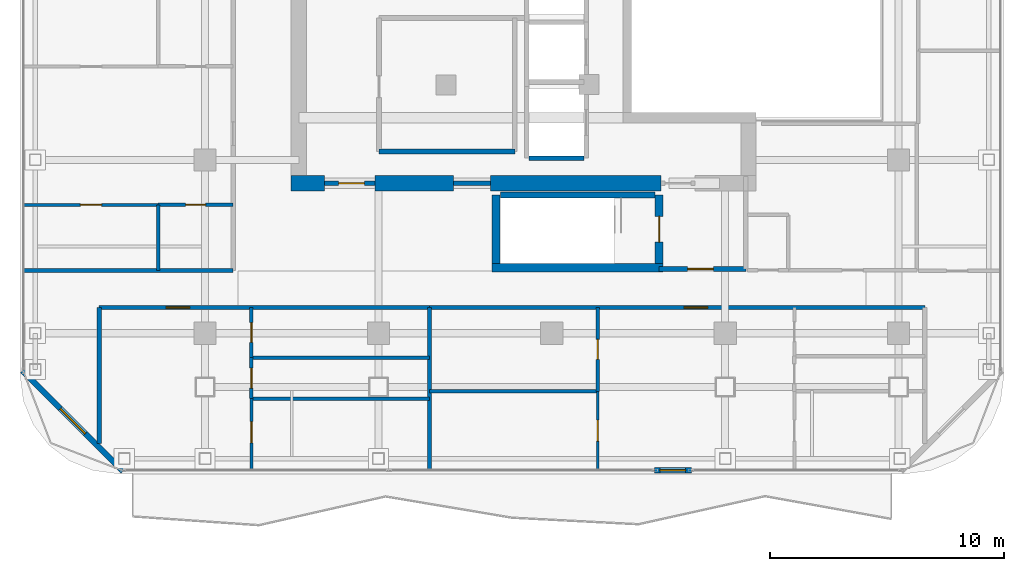
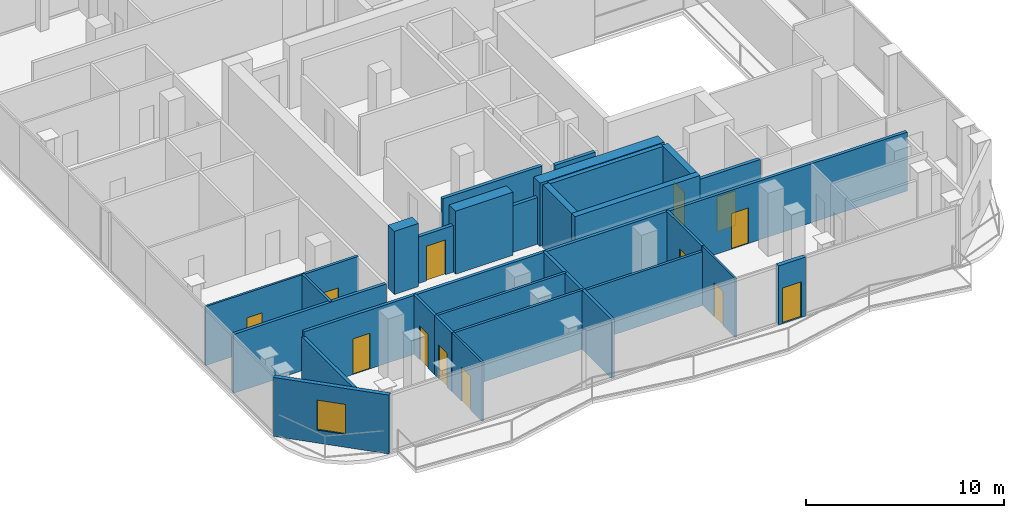
# One storey, part 17 of 22: 30 walls, 13 doors, 1 window, 14 openings.
"""IFC4 building model written with IfcOpenShell, lengths in metres."""

from ifc_helpers import new_model, si_unit, direction, frame, frame_2d, origin, place, context, subcontext, project, spatial, rectangle, extrude, material, layer, layer_set, type_object, element, fill, save


model = new_model("IFC4")

# Units and contexts
model_context = context("Model", 3, precision=1e-05, world=origin(), true_north=direction((0.0, 1.0)))
body_context = subcontext(model_context, "Body", "Model", "MODEL_VIEW")
ifc_project = project(units=[si_unit("LENGTHUNIT", "METRE"), si_unit("AREAUNIT", "SQUARE_METRE"), si_unit("VOLUMEUNIT", "CUBIC_METRE"), si_unit("PLANEANGLEUNIT", "RADIAN"), si_unit("MASSUNIT", "GRAM", prefix="KILO")], contexts=[model_context])

# Site, building, storey
site_placement = place(None, origin())
site = spatial("IfcSite", under=ifc_project, at=site_placement, CompositionType="ELEMENT")
building_placement = place(site_placement, origin())
building = spatial("IfcBuilding", under=site, at=building_placement, Name="Khorvyn Point Tower", CompositionType="ELEMENT")
storey_placement = place(building_placement, frame((0.0, 0.0, 309.300048828125)))
storey = spatial("IfcBuildingStorey", under=building, at=storey_placement, Name="L76", CompositionType="ELEMENT", Elevation=309.300048828125)

# Wall, opening, door
ifc_material_1 = material(Name="Double acoustic gypsum on twin steel stud", Category="steel")
ifc_layer_1 = layer(ifc_material_1, 0.179931640625)
ifc_layer_set_1 = layer_set([ifc_layer_1], Name="Acoustic Double-Stud Apartment Demising Wall 180")
wall_type_1 = type_object("IfcWallType", Name="Acoustic Double-Stud Apartment Demising Wall 180", PredefinedType="PARTITIONING", material=ifc_layer_set_1)
wall_1_placement = place(storey_placement, frame((-19.320068359375, -13.699951171875, 0.0), z_axis=(0.0, 0.0, 1.0), x_axis=(1.0, 0.0, 0.0)))
wall_1 = element("IfcWall", 1, at=wall_1_placement, inside=storey, type_object=wall_type_1, Name="Wall", PredefinedType="PARTITIONING", context=body_context, shape_type="SweptSolid", body=[
    extrude(rectangle(XDim=14.095947265625, YDim=0.179931640625, at=frame_2d((7.0478515625, 0.0))), origin(), (0.0, 0.0, 1.0), 3.639892578125),
])
opening_1_placement = place(wall_1_placement, frame((2.859130859375, 0.0, 0.0)))
opening_1 = element("IfcOpeningElement", 2, at=opening_1_placement, cuts=wall_1, Name="Opening ID-AP60", PredefinedType="OPENING", context=body_context, shape_type="SweptSolid", body=[
    extrude(rectangle(XDim=1.0, YDim=2.199951171875, at=frame_2d((0.5, 1.10009765625))), frame((0.0, 0.099853515625, 0.0), z_axis=(0.0, -1.0, 0.0), x_axis=(1.0, 0.0, 0.0)), (0.0, 0.0, 1.0), 0.199951171875),
])
ifc_material_2 = material(Name="Engineered hardwood fire-rated leaf", Category="wood")
door_type_1 = type_object("IfcDoorType", Name="Acoustic Solid-Core Timber Apartment Entrance Door 1000x2200", OperationType="NOTDEFINED", PredefinedType="DOOR", material=ifc_material_2)
door_1_placement = place(opening_1_placement, origin())
door_1 = element("IfcDoor", 3, at=door_1_placement, inside=storey, type_object=door_type_1, Name="Door", OperationType="SINGLE_SWING_RIGHT", OverallHeight=2.199951171875, OverallWidth=1.0, PredefinedType="DOOR", context=body_context, shape_type="SweptSolid", body=[
    extrude(rectangle(XDim=1.0, YDim=2.199951171875, at=frame_2d((0.5, 1.10009765625))), frame((0.0, 0.02490234375, 0.0), z_axis=(0.0, -1.0, 0.0), x_axis=(1.0, 0.0, 0.0)), (0.0, 0.0, 1.0), 0.050048828125),
])
fill(opening_1, door_1)

wall_2_placement = place(storey_placement, frame((-5.22412109375, -13.699951171875, 0.0), z_axis=(0.0, 0.0, 1.0), x_axis=(1.0, 0.0, 0.0)))
wall_2 = element("IfcWall", 4, at=wall_2_placement, inside=storey, type_object=wall_type_1, Name="Wall", PredefinedType="PARTITIONING", context=body_context, shape_type="SweptSolid", body=[
    extrude(rectangle(XDim=21.14404296875, YDim=0.179931640625, at=frame_2d((10.572021484375, 0.0))), origin(), (0.0, 0.0, 1.0), 3.639892578125),
])
opening_2_placement = place(wall_2_placement, frame((10.875732421875, 0.0, 0.0)))
opening_2 = element("IfcOpeningElement", 5, at=opening_2_placement, cuts=wall_2, Name="Opening ID-AP60", PredefinedType="OPENING", context=body_context, shape_type="SweptSolid", body=[
    extrude(rectangle(XDim=1.0, YDim=2.199951171875, at=frame_2d((0.5, 1.10009765625))), frame((0.0, 0.099853515625, 0.0), z_axis=(0.0, -1.0, 0.0), x_axis=(1.0, 0.0, 0.0)), (0.0, 0.0, 1.0), 0.199951171875),
])
door_2_placement = place(opening_2_placement, origin())
door_2 = element("IfcDoor", 6, at=door_2_placement, inside=storey, type_object=door_type_1, Name="Door", OperationType="SINGLE_SWING_RIGHT", OverallHeight=2.199951171875, OverallWidth=1.0, PredefinedType="DOOR", context=body_context, shape_type="SweptSolid", body=[
    extrude(rectangle(XDim=1.0, YDim=2.199951171875, at=frame_2d((0.5, 1.10009765625))), frame((0.0, 0.02490234375, 0.0), z_axis=(0.0, -1.0, 0.0), x_axis=(1.0, 0.0, 0.0)), (0.0, 0.0, 1.0), 0.050048828125),
])
fill(opening_2, door_2)

# Walls
wall_3_placement = place(storey_placement, frame((-19.320068359375, -19.510009765625, 0.0), z_axis=(0.0, 0.0, 1.0), x_axis=(0.0, 1.0, 0.0)))
element("IfcWall", 7, at=wall_3_placement, inside=storey, type_object=wall_type_1, Name="Wall", PredefinedType="PARTITIONING", context=body_context, shape_type="SweptSolid", body=[
    extrude(rectangle(XDim=5.81005859375, YDim=0.179931640625, at=frame_2d((2.905029296875, 0.0))), origin(), (0.0, 0.0, 1.0), 3.329833984375),
])
wall_4_placement = place(storey_placement, frame((-5.22412109375, -20.6298828125, 0.0), z_axis=(0.0, 0.0, 1.0), x_axis=(0.0, 1.0, 0.0)))
element("IfcWall", 8, at=wall_4_placement, inside=storey, type_object=wall_type_1, Name="Wall", PredefinedType="PARTITIONING", context=body_context, shape_type="SweptSolid", body=[
    extrude(rectangle(XDim=6.929931640625, YDim=0.179931640625, at=frame_2d((3.46484375, 0.0))), origin(), (0.0, 0.0, 1.0), 3.639892578125),
])
wall_5_placement = place(storey_placement, frame((-22.530029296875, -12.1201171875, 0.0), z_axis=(0.0, 0.0, 1.0), x_axis=(1.0, 0.0, 0.0)))
element("IfcWall", 9, at=wall_5_placement, inside=storey, type_object=wall_type_1, Name="Wall", PredefinedType="PARTITIONING", context=body_context, shape_type="SweptSolid", body=[
    extrude(rectangle(XDim=8.929931640625, YDim=0.179931640625, at=frame_2d((4.46484375, 0.0))), origin(), (0.0, 0.0, 1.0), 3.639892578125),
])

# Wall, opening, door
ifc_material_3 = material(Name="Pale anodised aluminium rainscreen on steel stud", Category="steel")
ifc_layer_2 = layer(ifc_material_3, 0.239990234375)
ifc_layer_set_2 = layer_set([ifc_layer_2], Name="Anodised Aluminium Insulated Corner Spandrel Wall 240")
wall_type_2 = type_object("IfcWallType", Name="Anodised Aluminium Insulated Corner Spandrel Wall 240", PredefinedType="SOLIDWALL", material=ifc_layer_set_2)
wall_6_placement = place(storey_placement, frame((5.952880859375, -20.64990234375, 0.0), z_axis=(0.0, 0.0, 1.0), x_axis=(-1.0, 0.0, 0.0)))
wall_6 = element("IfcWall", 10, at=wall_6_placement, inside=storey, type_object=wall_type_2, Name="L76 South Outdoor Threshold Wall", PredefinedType="SOLIDWALL", context=body_context, shape_type="SweptSolid", body=[
    extrude(rectangle(XDim=1.579833984375, YDim=0.239990234375, at=frame_2d((0.7900390625, 0.0))), origin(), (0.0, 0.0, 1.0), 3.639892578125),
])
opening_3_placement = place(wall_6_placement, frame((0.239990234375, 0.0, 0.0)))
opening_3 = element("IfcOpeningElement", 11, at=opening_3_placement, cuts=wall_6, Name="Opening BD-1122", PredefinedType="OPENING", context=body_context, shape_type="SweptSolid", body=[
    extrude(rectangle(XDim=1.10009765625, YDim=2.199951171875, at=frame_2d((0.550048828125, 1.10009765625))), frame((0.0, 0.1298828125, 0.0), z_axis=(0.0, -1.0, 0.0), x_axis=(1.0, 0.0, 0.0)), (0.0, 0.0, 1.0), 0.260009765625),
])
ifc_material_4 = material(Name="Anodised aluminium 6063-T6 and laminated Low-E glass", Category="aluminium")
door_type_2 = type_object("IfcDoorType", Name="Glazed Balcony and Terrace Threshold Door 1100x2200", OperationType="NOTDEFINED", PredefinedType="DOOR", material=ifc_material_4)
door_3_placement = place(opening_3_placement, origin())
door_3 = element("IfcDoor", 12, at=door_3_placement, inside=storey, type_object=door_type_2, Name="L76 South Glazed Balcony Outdoor Door", OperationType="SINGLE_SWING_LEFT", OverallHeight=2.199951171875, OverallWidth=1.10009765625, PredefinedType="DOOR", context=body_context, shape_type="SweptSolid", body=[
    extrude(rectangle(XDim=1.10009765625, YDim=2.199951171875, at=frame_2d((0.550048828125, 1.10009765625))), frame((0.0, 0.02490234375, 0.0), z_axis=(0.0, -1.0, 0.0), x_axis=(1.0, 0.0, 0.0)), (0.0, 0.0, 1.0), 0.050048828125),
])
fill(opening_3, door_3)

# Wall, opening, window
wall_7_placement = place(storey_placement, frame((-18.3076171875, -20.6923828125, 0.0), z_axis=(0.0, 0.0, 1.0), x_axis=(-0.707106781187, 0.707106781187, 0.0)))
wall_7 = element("IfcWall", 13, at=wall_7_placement, inside=storey, type_object=wall_type_2, Name="L76 Rounded Corner Wall SW", PredefinedType="SOLIDWALL", context=body_context, shape_type="SweptSolid", body=[
    extrude(rectangle(XDim=6.059326171875, YDim=0.239990234375, at=frame_2d((3.02978515625, 0.0))), origin(), (0.0, 0.0, 1.0), 3.639892578125),
])
opening_4_placement = place(wall_7_placement, frame((2.27978515625, 0.0, 0.800048828125)))
opening_4 = element("IfcOpeningElement", 14, at=opening_4_placement, cuts=wall_7, Name="Opening WN-1518", PredefinedType="OPENING", context=body_context, shape_type="SweptSolid", body=[
    extrude(rectangle(XDim=1.5, YDim=1.85009765625, at=frame_2d((0.75, 0.925048828125))), frame((0.0, 0.1298828125, 0.0), z_axis=(0.0, -1.0, 0.0), x_axis=(1.0, 0.0, 0.0)), (0.0, 0.0, 1.0), 0.260009765625),
])
window_type = type_object("IfcWindowType", Name="Anodised Aluminium Rounded-Corner Panoramic Window 1500x1850", PartitioningType="SINGLE_PANEL", PredefinedType="WINDOW", material=ifc_material_4)
window_placement = place(opening_4_placement, origin())
window = element("IfcWindow", 15, at=window_placement, inside=storey, type_object=window_type, Name="L76 Corner Panoramic Window SW", OverallHeight=1.85009765625, OverallWidth=1.5, PartitioningType="SINGLE_PANEL", PredefinedType="WINDOW", context=body_context, shape_type="SweptSolid", body=[
    extrude(rectangle(XDim=1.5, YDim=1.85009765625, at=frame_2d((0.75, 0.925048828125))), frame((0.0, 0.030029296875, 0.0), z_axis=(0.0, -1.0, 0.0), x_axis=(1.0, 0.0, 0.0)), (0.0, 0.0, 1.0), 0.06005859375),
])
fill(opening_4, window)

# Walls
ifc_material_5 = material(Name="Concrete C40/50", Category="concrete")
ifc_layer_3 = layer(ifc_material_5, 0.64990234375)
ifc_layer_set_3 = layer_set([ifc_layer_3], Name="Concrete C40/50 Core Shear Wall 650")
wall_type_3 = type_object("IfcWallType", Name="Concrete C40/50 Core Shear Wall 650", PredefinedType="SHEAR", material=ifc_layer_set_3)
wall_8_placement = place(storey_placement, frame((-11.125, -8.39990234375, 0.0), z_axis=(0.0, 0.0, 1.0), x_axis=(1.0, 0.0, 0.0)))
element("IfcWall", 16, at=wall_8_placement, inside=storey, type_object=wall_type_3, Name="Wall", PredefinedType="SHEAR", context=body_context, shape_type="SweptSolid", body=[
    extrude(rectangle(XDim=1.425048828125, YDim=0.64990234375, at=frame_2d((0.71240234375, 0.0))), origin(), (0.0, 0.0, 1.0), 3.89990234375),
])
wall_9_placement = place(storey_placement, frame((-7.550048828125, -8.39990234375, 0.0), z_axis=(0.0, 0.0, 1.0), x_axis=(1.0, 0.0, 0.0)))
element("IfcWall", 17, at=wall_9_placement, inside=storey, type_object=wall_type_3, Name="Wall", PredefinedType="SHEAR", context=body_context, shape_type="SweptSolid", body=[
    extrude(rectangle(XDim=3.35009765625, YDim=0.64990234375, at=frame_2d((1.675048828125, 0.0))), origin(), (0.0, 0.0, 1.0), 3.89990234375),
])
wall_10_placement = place(storey_placement, frame((-2.6201171875, -8.39990234375, 0.0), z_axis=(0.0, 0.0, 1.0), x_axis=(1.0, 0.0, 0.0)))
element("IfcWall", 18, at=wall_10_placement, inside=storey, type_object=wall_type_3, Name="Wall", PredefinedType="SHEAR", context=body_context, shape_type="SweptSolid", body=[
    extrude(rectangle(XDim=7.27001953125, YDim=0.64990234375, at=frame_2d((3.635009765625, 0.0))), origin(), (0.0, 0.0, 1.0), 3.89990234375),
])

# Wall, opening, door
ifc_layer_4 = layer(ifc_material_5, 0.199951171875)
ifc_layer_set_4 = layer_set([ifc_layer_4], Name="Concrete C40/50 Fire-Lobby Compartment Wall 200")
wall_type_4 = type_object("IfcWallType", Name="Concrete C40/50 Fire-Lobby Compartment Wall 200", PredefinedType="SOLIDWALL", material=ifc_layer_set_4)
wall_11_placement = place(storey_placement, frame((4.580078125, -12.06005859375, 0.0), z_axis=(0.0, 0.0, 1.0), x_axis=(1.0, 0.0, 0.0)))
wall_11 = element("IfcWall", 19, at=wall_11_placement, inside=storey, type_object=wall_type_4, Name="Wall", PredefinedType="SOLIDWALL", context=body_context, shape_type="SweptSolid", body=[
    extrude(rectangle(XDim=3.699951171875, YDim=0.199951171875, at=frame_2d((1.85009765625, 0.0))), origin(), (0.0, 0.0, 1.0), 3.639892578125),
])
opening_5_placement = place(wall_11_placement, frame((1.21240234375, 0.0, 0.0)))
opening_5 = element("IfcOpeningElement", 20, at=opening_5_placement, cuts=wall_11, Name="Opening ID-FL90", PredefinedType="OPENING", context=body_context, shape_type="SweptSolid", body=[
    extrude(rectangle(XDim=1.10009765625, YDim=2.14990234375, at=frame_2d((0.550048828125, 1.074951171875))), frame((0.0, 0.10986328125, 0.0), z_axis=(0.0, -1.0, 0.0), x_axis=(1.0, 0.0, 0.0)), (0.0, 0.0, 1.0), 0.219970703125),
])
ifc_material_6 = material(Name="Galvanised powder-coated steel", Category="steel")
door_type_3 = type_object("IfcDoorType", Name="Fire-Rated Steel Lobby and Stair Door 1100x2150", OperationType="NOTDEFINED", PredefinedType="DOOR", material=ifc_material_6)
door_4_placement = place(opening_5_placement, origin())
door_4 = element("IfcDoor", 21, at=door_4_placement, inside=storey, type_object=door_type_3, Name="Door", OperationType="SINGLE_SWING_LEFT", OverallHeight=2.14990234375, OverallWidth=1.10009765625, PredefinedType="DOOR", context=body_context, shape_type="SweptSolid", body=[
    extrude(rectangle(XDim=1.10009765625, YDim=2.14990234375, at=frame_2d((0.550048828125, 1.074951171875))), frame((0.0, 0.02490234375, 0.0), z_axis=(0.0, -1.0, 0.0), x_axis=(1.0, 0.0, 0.0)), (0.0, 0.0, 1.0), 0.050048828125),
])
fill(opening_5, door_4)

wall_12_placement = place(storey_placement, frame((-9.699951171875, -8.39990234375, 0.0), z_axis=(0.0, 0.0, 1.0), x_axis=(1.0, 0.0, 0.0)))
wall_12 = element("IfcWall", 22, at=wall_12_placement, inside=storey, type_object=wall_type_4, Name="Wall", PredefinedType="SOLIDWALL", context=body_context, shape_type="SweptSolid", body=[
    extrude(rectangle(XDim=2.14990234375, YDim=0.199951171875, at=frame_2d((1.074951171875, 0.0))), origin(), (0.0, 0.0, 1.0), 2.8798828125),
])
opening_6_placement = place(wall_12_placement, frame((0.597900390625, 0.0, 0.0)))
opening_6 = element("IfcOpeningElement", 23, at=opening_6_placement, cuts=wall_12, Name="Opening ID-FL90", PredefinedType="OPENING", context=body_context, shape_type="SweptSolid", body=[
    extrude(rectangle(XDim=1.10009765625, YDim=2.14990234375, at=frame_2d((0.550048828125, 1.074951171875))), frame((0.0, 0.10986328125, 0.0), z_axis=(0.0, -1.0, 0.0), x_axis=(1.0, 0.0, 0.0)), (0.0, 0.0, 1.0), 0.219970703125),
])
door_5_placement = place(opening_6_placement, origin())
door_5 = element("IfcDoor", 24, at=door_5_placement, inside=storey, type_object=door_type_3, Name="Door", OperationType="SINGLE_SWING_RIGHT", OverallHeight=2.14990234375, OverallWidth=1.10009765625, PredefinedType="DOOR", context=body_context, shape_type="SweptSolid", body=[
    extrude(rectangle(XDim=1.10009765625, YDim=2.14990234375, at=frame_2d((0.550048828125, 1.074951171875))), frame((0.0, 0.02490234375, 0.0), z_axis=(0.0, -1.0, 0.0), x_axis=(1.0, 0.0, 0.0)), (0.0, 0.0, 1.0), 0.050048828125),
])
fill(opening_6, door_5)

# Walls
wall_13_placement = place(storey_placement, frame((-4.199951171875, -8.39990234375, 0.0), z_axis=(0.0, 0.0, 1.0), x_axis=(1.0, 0.0, 0.0)))
element("IfcWall", 25, at=wall_13_placement, inside=storey, type_object=wall_type_4, Name="Wall", PredefinedType="SOLIDWALL", context=body_context, shape_type="SweptSolid", body=[
    extrude(rectangle(XDim=1.579833984375, YDim=0.199951171875, at=frame_2d((0.7900390625, 0.0))), origin(), (0.0, 0.0, 1.0), 2.8798828125),
])
wall_14_placement = place(storey_placement, frame((-7.3798828125, -7.0400390625, 0.0), z_axis=(0.0, 0.0, 1.0), x_axis=(1.0, 0.0, 0.0)))
element("IfcWall", 26, at=wall_14_placement, inside=storey, type_object=wall_type_4, Name="Wall", PredefinedType="SOLIDWALL", context=body_context, shape_type="SweptSolid", body=[
    extrude(rectangle(XDim=5.7998046875, YDim=0.199951171875, at=frame_2d((2.89990234375, 0.0))), origin(), (0.0, 0.0, 1.0), 3.639892578125),
])
ifc_layer_5 = layer(ifc_material_5, 0.25)
ifc_layer_set_5 = layer_set([ifc_layer_5], Name="Concrete C40/50 Stair Inner Cheek Structural Wall 250")
wall_type_5 = type_object("IfcWallType", Name="Concrete C40/50 Stair Inner Cheek Structural Wall 250", PredefinedType="SHEAR", material=ifc_layer_set_5)
wall_15_placement = place(storey_placement, frame((-2.199951171875, -8.89990234375, 0.0), z_axis=(0.0, 0.0, 1.0), x_axis=(1.0, 0.0, 0.0)))
element("IfcWall", 27, at=wall_15_placement, inside=storey, type_object=wall_type_5, Name="Wall", PredefinedType="SHEAR", context=body_context, shape_type="SweptSolid", body=[
    extrude(rectangle(XDim=6.599853515625, YDim=0.25, at=frame_2d((3.2998046875, 0.0))), origin(), (0.0, 0.0, 1.0), 3.89990234375),
])
ifc_layer_6 = layer(ifc_material_5, 0.35009765625)
ifc_layer_set_6 = layer_set([ifc_layer_6], Name="Concrete C40/50 Stair Shaft Structural Wall 350")
wall_type_6 = type_object("IfcWallType", Name="Concrete C40/50 Stair Shaft Structural Wall 350", PredefinedType="SHEAR", material=ifc_layer_set_6)
wall_16_placement = place(storey_placement, frame((-2.554931640625, -12.0, 0.0), z_axis=(0.0, 0.0, 1.0), x_axis=(1.0, 0.0, 0.0)))
element("IfcWall", 28, at=wall_16_placement, inside=storey, type_object=wall_type_6, Name="L76 ST-01 South Shaft Wall", PredefinedType="SHEAR", context=body_context, shape_type="SweptSolid", body=[
    extrude(rectangle(XDim=7.309814453125, YDim=0.35009765625, at=frame_2d((3.65478515625, 0.0))), origin(), (0.0, 0.0, 1.0), 3.89990234375),
])
wall_17_placement = place(storey_placement, frame((-2.3798828125, -11.824951171875, 0.0), z_axis=(0.0, 0.0, 1.0), x_axis=(0.0, 1.0, 0.0)))
element("IfcWall", 29, at=wall_17_placement, inside=storey, type_object=wall_type_6, Name="L76 ST-01 West Shaft Wall", PredefinedType="SHEAR", context=body_context, shape_type="SweptSolid", body=[
    extrude(rectangle(XDim=2.925048828125, YDim=0.35009765625, at=frame_2d((1.46240234375, 0.0))), origin(), (0.0, 0.0, 1.0), 3.89990234375),
])

# Wall, opening, door
wall_18_placement = place(storey_placement, frame((4.580078125, -8.89990234375, 0.0), z_axis=(0.0, 0.0, 1.0), x_axis=(0.0, -1.0, 0.0)))
wall_18 = element("IfcWall", 30, at=wall_18_placement, inside=storey, type_object=wall_type_6, Name="L76 ST-01 East Landing Door Wall", PredefinedType="SHEAR", context=body_context, shape_type="SweptSolid", body=[
    extrude(rectangle(XDim=2.925048828125, YDim=0.35009765625, at=frame_2d((1.46240234375, 0.0))), origin(), (0.0, 0.0, 1.0), 3.89990234375),
])
opening_7_placement = place(wall_18_placement, frame((0.91259765625, 0.0, 0.0)))
opening_7 = element("IfcOpeningElement", 31, at=opening_7_placement, cuts=wall_18, Name="Opening ID-FL90", PredefinedType="OPENING", context=body_context, shape_type="SweptSolid", body=[
    extrude(rectangle(XDim=1.10009765625, YDim=2.14990234375, at=frame_2d((0.550048828125, 1.074951171875))), frame((0.0, 0.18505859375, 0.0), z_axis=(0.0, -1.0, 0.0), x_axis=(1.0, 0.0, 0.0)), (0.0, 0.0, 1.0), 0.3701171875),
])
door_6_placement = place(opening_7_placement, origin())
door_6 = element("IfcDoor", 32, at=door_6_placement, inside=storey, type_object=door_type_3, Name="L76 ST-01 Smokeproof Landing Door", OperationType="SINGLE_SWING_RIGHT", OverallHeight=2.14990234375, OverallWidth=1.10009765625, PredefinedType="DOOR", context=body_context, shape_type="SweptSolid", body=[
    extrude(rectangle(XDim=1.10009765625, YDim=2.14990234375, at=frame_2d((0.550048828125, 1.074951171875))), frame((0.0, 0.02490234375, 0.0), z_axis=(0.0, -1.0, 0.0), x_axis=(1.0, 0.0, 0.0)), (0.0, 0.0, 1.0), 0.050048828125),
])
fill(opening_7, door_6)

# Wall
ifc_layer_7 = layer(ifc_material_5, 0.199951171875)
ifc_layer_set_7 = layer_set([ifc_layer_7], Name="Concrete C40/50 Structural Hoistway and Stair Shaft Wall 200")
wall_type_7 = type_object("IfcWallType", Name="Concrete C40/50 Structural Hoistway and Stair Shaft Wall 200", PredefinedType="SHEAR", material=ifc_layer_set_7)
wall_19_placement = place(storey_placement, frame((-0.97509765625, -7.324951171875, 0.0), z_axis=(0.0, 0.0, 1.0), x_axis=(1.0, 0.0, 0.0)))
element("IfcWall", 33, at=wall_19_placement, inside=storey, type_object=wall_type_7, Name="Wall", PredefinedType="SHEAR", context=body_context, shape_type="SweptSolid", body=[
    extrude(rectangle(XDim=2.35009765625, YDim=0.199951171875, at=frame_2d((1.175048828125, 0.0))), origin(), (0.0, 0.0, 1.0), 3.639892578125),
])

# Wall, opening, door
ifc_material_7 = material(Name="Gypsum plasterboard on steel stud", Category="steel")
ifc_layer_8 = layer(ifc_material_7, 0.1201171875)
ifc_layer_set_8 = layer_set([ifc_layer_8], Name="Gypsum Acoustic Stud Room Partition Wall 120")
wall_type_8 = type_object("IfcWallType", Name="Gypsum Acoustic Stud Room Partition Wall 120", PredefinedType="PARTITIONING", material=ifc_layer_set_8)
wall_20_placement = place(storey_placement, frame((-12.822021484375, -20.6298828125, 0.0), z_axis=(0.0, 0.0, 1.0), x_axis=(0.0, 1.0, 0.0)))
wall_20 = element("IfcWall", 34, at=wall_20_placement, inside=storey, type_object=wall_type_8, Name="Wall", PredefinedType="PARTITIONING", context=body_context, shape_type="SweptSolid", body=[
    extrude(rectangle(XDim=3.0439453125, YDim=0.1201171875, at=frame_2d((1.52197265625, 0.0))), origin(), (0.0, 0.0, 1.0), 3.639892578125),
])
opening_8_placement = place(wall_20_placement, frame((1.15478515625, 0.0, 0.0)))
opening_8 = element("IfcOpeningElement", 35, at=opening_8_placement, cuts=wall_20, Name="Opening ID-RM90", PredefinedType="OPENING", context=body_context, shape_type="SweptSolid", body=[
    extrude(rectangle(XDim=0.89990234375, YDim=2.10009765625, at=frame_2d((0.449951171875, 1.050048828125))), frame((0.0, 0.070068359375, 0.0), z_axis=(0.0, -1.0, 0.0), x_axis=(1.0, 0.0, 0.0)), (0.0, 0.0, 1.0), 0.14013671875),
])
ifc_material_8 = material(Name="Engineered oak veneer timber", Category="wood")
door_type_4 = type_object("IfcDoorType", Name="Flush Engineered Timber Room Door 900x2100", OperationType="NOTDEFINED", PredefinedType="DOOR", material=ifc_material_8)
door_7_placement = place(opening_8_placement, origin())
door_7 = element("IfcDoor", 36, at=door_7_placement, inside=storey, type_object=door_type_4, Name="Door", OperationType="SINGLE_SWING_LEFT", OverallHeight=2.10009765625, OverallWidth=0.89990234375, PredefinedType="DOOR", context=body_context, shape_type="SweptSolid", body=[
    extrude(rectangle(XDim=0.89990234375, YDim=2.10009765625, at=frame_2d((0.449951171875, 1.050048828125))), frame((0.0, 0.02490234375, 0.0), z_axis=(0.0, -1.0, 0.0), x_axis=(1.0, 0.0, 0.0)), (0.0, 0.0, 1.0), 0.050048828125),
])
fill(opening_8, door_7)

wall_21_placement = place(storey_placement, frame((1.962890625, -20.6298828125, 0.0), z_axis=(0.0, 0.0, 1.0), x_axis=(0.0, 1.0, 0.0)))
wall_21 = element("IfcWall", 37, at=wall_21_placement, inside=storey, type_object=wall_type_8, Name="Wall", PredefinedType="PARTITIONING", context=body_context, shape_type="SweptSolid", body=[
    extrude(rectangle(XDim=3.348876953125, YDim=0.1201171875, at=frame_2d((1.67431640625, 0.0))), origin(), (0.0, 0.0, 1.0), 3.639892578125),
])
opening_9_placement = place(wall_21_placement, frame((1.224609375, 0.0, 0.0)))
opening_9 = element("IfcOpeningElement", 38, at=opening_9_placement, cuts=wall_21, Name="Opening ID-RM90", PredefinedType="OPENING", context=body_context, shape_type="SweptSolid", body=[
    extrude(rectangle(XDim=0.89990234375, YDim=2.10009765625, at=frame_2d((0.449951171875, 1.050048828125))), frame((0.0, 0.070068359375, 0.0), z_axis=(0.0, -1.0, 0.0), x_axis=(1.0, 0.0, 0.0)), (0.0, 0.0, 1.0), 0.14013671875),
])
door_8_placement = place(opening_9_placement, origin())
door_8 = element("IfcDoor", 39, at=door_8_placement, inside=storey, type_object=door_type_4, Name="Door", OperationType="SINGLE_SWING_RIGHT", OverallHeight=2.10009765625, OverallWidth=0.89990234375, PredefinedType="DOOR", context=body_context, shape_type="SweptSolid", body=[
    extrude(rectangle(XDim=0.89990234375, YDim=2.10009765625, at=frame_2d((0.449951171875, 1.050048828125))), frame((0.0, 0.02490234375, 0.0), z_axis=(0.0, -1.0, 0.0), x_axis=(1.0, 0.0, 0.0)), (0.0, 0.0, 1.0), 0.050048828125),
])
fill(opening_9, door_8)

wall_22_placement = place(storey_placement, frame((-22.530029296875, -9.320068359375, 0.0), z_axis=(0.0, 0.0, 1.0), x_axis=(1.0, 0.0, 0.0)))
wall_22 = element("IfcWall", 40, at=wall_22_placement, inside=storey, type_object=wall_type_8, Name="Wall", PredefinedType="PARTITIONING", context=body_context, shape_type="SweptSolid", body=[
    extrude(rectangle(XDim=5.720947265625, YDim=0.1201171875, at=frame_2d((2.8603515625, 0.0))), origin(), (0.0, 0.0, 1.0), 3.639892578125),
])
opening_10_placement = place(wall_22_placement, frame((2.410400390625, 0.0, 0.0)))
opening_10 = element("IfcOpeningElement", 41, at=opening_10_placement, cuts=wall_22, Name="Opening ID-RM90", PredefinedType="OPENING", context=body_context, shape_type="SweptSolid", body=[
    extrude(rectangle(XDim=0.89990234375, YDim=2.10009765625, at=frame_2d((0.449951171875, 1.050048828125))), frame((0.0, 0.070068359375, 0.0), z_axis=(0.0, -1.0, 0.0), x_axis=(1.0, 0.0, 0.0)), (0.0, 0.0, 1.0), 0.14013671875),
])
door_9_placement = place(opening_10_placement, origin())
door_9 = element("IfcDoor", 42, at=door_9_placement, inside=storey, type_object=door_type_4, Name="Door", OperationType="SINGLE_SWING_LEFT", OverallHeight=2.10009765625, OverallWidth=0.89990234375, PredefinedType="DOOR", context=body_context, shape_type="SweptSolid", body=[
    extrude(rectangle(XDim=0.89990234375, YDim=2.10009765625, at=frame_2d((0.449951171875, 1.050048828125))), frame((0.0, 0.02490234375, 0.0), z_axis=(0.0, -1.0, 0.0), x_axis=(1.0, 0.0, 0.0)), (0.0, 0.0, 1.0), 0.050048828125),
])
fill(opening_10, door_9)

ifc_material_9 = material(Name="Moisture-resistant gypsum and cement board", Category="gypsum")
ifc_layer_9 = layer(ifc_material_9, 0.14990234375)
ifc_layer_set_9 = layer_set([ifc_layer_9], Name="Moisture-Resistant Wet-Room Partition Wall 150")
wall_type_9 = type_object("IfcWallType", Name="Moisture-Resistant Wet-Room Partition Wall 150", PredefinedType="PARTITIONING", material=ifc_layer_set_9)
wall_23_placement = place(storey_placement, frame((-12.822021484375, -15.8369140625, 0.0), z_axis=(0.0, 0.0, 1.0), x_axis=(0.0, 1.0, 0.0)))
wall_23 = element("IfcWall", 43, at=wall_23_placement, inside=storey, type_object=wall_type_9, Name="Wall", PredefinedType="PARTITIONING", context=body_context, shape_type="SweptSolid", body=[
    extrude(rectangle(XDim=2.136962890625, YDim=0.14990234375, at=frame_2d((1.068359375, 0.0))), origin(), (0.0, 0.0, 1.0), 3.639892578125),
])
opening_11_placement = place(wall_23_placement, frame((0.6435546875, 0.0, 0.0)))
opening_11 = element("IfcOpeningElement", 44, at=opening_11_placement, cuts=wall_23, Name="Opening ID-WC85", PredefinedType="OPENING", context=body_context, shape_type="SweptSolid", body=[
    extrude(rectangle(XDim=0.85009765625, YDim=2.10009765625, at=frame_2d((0.425048828125, 1.050048828125))), frame((0.0, 0.0849609375, 0.0), z_axis=(0.0, -1.0, 0.0), x_axis=(1.0, 0.0, 0.0)), (0.0, 0.0, 1.0), 0.169921875),
])
ifc_material_10 = material(Name="High-pressure laminate on moisture-resistant core", Category="wood")
door_type_5 = type_object("IfcDoorType", Name="Moisture-Resistant Accessible Washroom Door 850x2100", OperationType="NOTDEFINED", PredefinedType="DOOR", material=ifc_material_10)
door_10_placement = place(opening_11_placement, origin())
door_10 = element("IfcDoor", 45, at=door_10_placement, inside=storey, type_object=door_type_5, Name="Door", OperationType="SINGLE_SWING_LEFT", OverallHeight=2.10009765625, OverallWidth=0.85009765625, PredefinedType="DOOR", context=body_context, shape_type="SweptSolid", body=[
    extrude(rectangle(XDim=0.85009765625, YDim=2.10009765625, at=frame_2d((0.425048828125, 1.050048828125))), frame((0.0, 0.02490234375, 0.0), z_axis=(0.0, -1.0, 0.0), x_axis=(1.0, 0.0, 0.0)), (0.0, 0.0, 1.0), 0.050048828125),
])
fill(opening_11, door_10)

wall_24_placement = place(storey_placement, frame((-12.822021484375, -17.5859375, 0.0), z_axis=(0.0, 0.0, 1.0), x_axis=(0.0, 1.0, 0.0)))
wall_24 = element("IfcWall", 46, at=wall_24_placement, inside=storey, type_object=wall_type_9, Name="Wall", PredefinedType="PARTITIONING", context=body_context, shape_type="SweptSolid", body=[
    extrude(rectangle(XDim=1.7490234375, YDim=0.14990234375, at=frame_2d((0.87451171875, 0.0))), origin(), (0.0, 0.0, 1.0), 3.639892578125),
])
opening_12_placement = place(wall_24_placement, frame((0.449462890625, 0.0, 0.0)))
opening_12 = element("IfcOpeningElement", 47, at=opening_12_placement, cuts=wall_24, Name="Opening ID-WC85", PredefinedType="OPENING", context=body_context, shape_type="SweptSolid", body=[
    extrude(rectangle(XDim=0.85009765625, YDim=2.10009765625, at=frame_2d((0.425048828125, 1.050048828125))), frame((0.0, 0.0849609375, 0.0), z_axis=(0.0, -1.0, 0.0), x_axis=(1.0, 0.0, 0.0)), (0.0, 0.0, 1.0), 0.169921875),
])
door_11_placement = place(opening_12_placement, origin())
door_11 = element("IfcDoor", 48, at=door_11_placement, inside=storey, type_object=door_type_5, Name="Door", OperationType="SINGLE_SWING_RIGHT", OverallHeight=2.10009765625, OverallWidth=0.85009765625, PredefinedType="DOOR", context=body_context, shape_type="SweptSolid", body=[
    extrude(rectangle(XDim=0.85009765625, YDim=2.10009765625, at=frame_2d((0.425048828125, 1.050048828125))), frame((0.0, 0.02490234375, 0.0), z_axis=(0.0, -1.0, 0.0), x_axis=(1.0, 0.0, 0.0)), (0.0, 0.0, 1.0), 0.050048828125),
])
fill(opening_12, door_11)

wall_25_placement = place(storey_placement, frame((1.962890625, -17.281005859375, 0.0), z_axis=(0.0, 0.0, 1.0), x_axis=(0.0, 1.0, 0.0)))
wall_25 = element("IfcWall", 49, at=wall_25_placement, inside=storey, type_object=wall_type_9, Name="Wall", PredefinedType="PARTITIONING", context=body_context, shape_type="SweptSolid", body=[
    extrude(rectangle(XDim=3.5810546875, YDim=0.14990234375, at=frame_2d((1.79052734375, 0.0))), origin(), (0.0, 0.0, 1.0), 3.639892578125),
])
opening_13_placement = place(wall_25_placement, frame((1.365478515625, 0.0, 0.0)))
opening_13 = element("IfcOpeningElement", 50, at=opening_13_placement, cuts=wall_25, Name="Opening ID-WC85", PredefinedType="OPENING", context=body_context, shape_type="SweptSolid", body=[
    extrude(rectangle(XDim=0.85009765625, YDim=2.10009765625, at=frame_2d((0.425048828125, 1.050048828125))), frame((0.0, 0.0849609375, 0.0), z_axis=(0.0, -1.0, 0.0), x_axis=(1.0, 0.0, 0.0)), (0.0, 0.0, 1.0), 0.169921875),
])
door_12_placement = place(opening_13_placement, origin())
door_12 = element("IfcDoor", 51, at=door_12_placement, inside=storey, type_object=door_type_5, Name="Door", OperationType="SINGLE_SWING_LEFT", OverallHeight=2.10009765625, OverallWidth=0.85009765625, PredefinedType="DOOR", context=body_context, shape_type="SweptSolid", body=[
    extrude(rectangle(XDim=0.85009765625, YDim=2.10009765625, at=frame_2d((0.425048828125, 1.050048828125))), frame((0.0, 0.02490234375, 0.0), z_axis=(0.0, -1.0, 0.0), x_axis=(1.0, 0.0, 0.0)), (0.0, 0.0, 1.0), 0.050048828125),
])
fill(opening_13, door_12)

wall_26_placement = place(storey_placement, frame((-16.80908203125, -9.320068359375, 0.0), z_axis=(0.0, 0.0, 1.0), x_axis=(1.0, 0.0, 0.0)))
wall_26 = element("IfcWall", 52, at=wall_26_placement, inside=storey, type_object=wall_type_9, Name="Wall", PredefinedType="PARTITIONING", context=body_context, shape_type="SweptSolid", body=[
    extrude(rectangle(XDim=3.208984375, YDim=0.14990234375, at=frame_2d((1.6044921875, 0.0))), origin(), (0.0, 0.0, 1.0), 3.639892578125),
])
opening_14_placement = place(wall_26_placement, frame((1.179443359375, 0.0, 0.0)))
opening_14 = element("IfcOpeningElement", 53, at=opening_14_placement, cuts=wall_26, Name="Opening ID-WC85", PredefinedType="OPENING", context=body_context, shape_type="SweptSolid", body=[
    extrude(rectangle(XDim=0.85009765625, YDim=2.10009765625, at=frame_2d((0.425048828125, 1.050048828125))), frame((0.0, 0.0849609375, 0.0), z_axis=(0.0, -1.0, 0.0), x_axis=(1.0, 0.0, 0.0)), (0.0, 0.0, 1.0), 0.169921875),
])
door_13_placement = place(opening_14_placement, origin())
door_13 = element("IfcDoor", 54, at=door_13_placement, inside=storey, type_object=door_type_5, Name="Door", OperationType="SINGLE_SWING_RIGHT", OverallHeight=2.10009765625, OverallWidth=0.85009765625, PredefinedType="DOOR", context=body_context, shape_type="SweptSolid", body=[
    extrude(rectangle(XDim=0.85009765625, YDim=2.10009765625, at=frame_2d((0.425048828125, 1.050048828125))), frame((0.0, 0.02490234375, 0.0), z_axis=(0.0, -1.0, 0.0), x_axis=(1.0, 0.0, 0.0)), (0.0, 0.0, 1.0), 0.050048828125),
])
fill(opening_14, door_13)

# Walls
for number, where, z_axis, x_axis, name in (
    (55, (-12.822021484375, -15.8369140625, 0.0), (0.0, 0.0, 1.0), (1.0, 0.0, 0.0), "Wall"),
    (56, (-12.822021484375, -17.5859375, 0.0), (0.0, 0.0, 1.0), (1.0, 0.0, 0.0), "Wall"),
):
    element("IfcWall", number, at=place(storey_placement, frame(where, z_axis=z_axis, x_axis=x_axis)), inside=storey, type_object=wall_type_9, Name=name, PredefinedType="PARTITIONING", context=body_context, shape_type="SweptSolid", body=[
        extrude(rectangle(XDim=7.597900390625, YDim=0.14990234375, at=frame_2d((3.798828125, 0.0))), origin(), (0.0, 0.0, 1.0), 3.639892578125),
    ])
wall_27_placement = place(storey_placement, frame((-5.22412109375, -17.281005859375, 0.0), z_axis=(0.0, 0.0, 1.0), x_axis=(1.0, 0.0, 0.0)))
element("IfcWall", 57, at=wall_27_placement, inside=storey, type_object=wall_type_9, Name="Wall", PredefinedType="PARTITIONING", context=body_context, shape_type="SweptSolid", body=[
    extrude(rectangle(XDim=7.18701171875, YDim=0.14990234375, at=frame_2d((3.593505859375, 0.0))), origin(), (0.0, 0.0, 1.0), 3.329833984375),
])
wall_28_placement = place(storey_placement, frame((-16.80908203125, -12.1201171875, 0.0), z_axis=(0.0, 0.0, 1.0), x_axis=(0.0, 1.0, 0.0)))
element("IfcWall", 58, at=wall_28_placement, inside=storey, type_object=wall_type_9, Name="Wall", PredefinedType="PARTITIONING", context=body_context, shape_type="SweptSolid", body=[
    extrude(rectangle(XDim=2.800048828125, YDim=0.14990234375, at=frame_2d((1.39990234375, 0.0))), origin(), (0.0, 0.0, 1.0), 3.639892578125),
])

save(model, "model.ifc")
